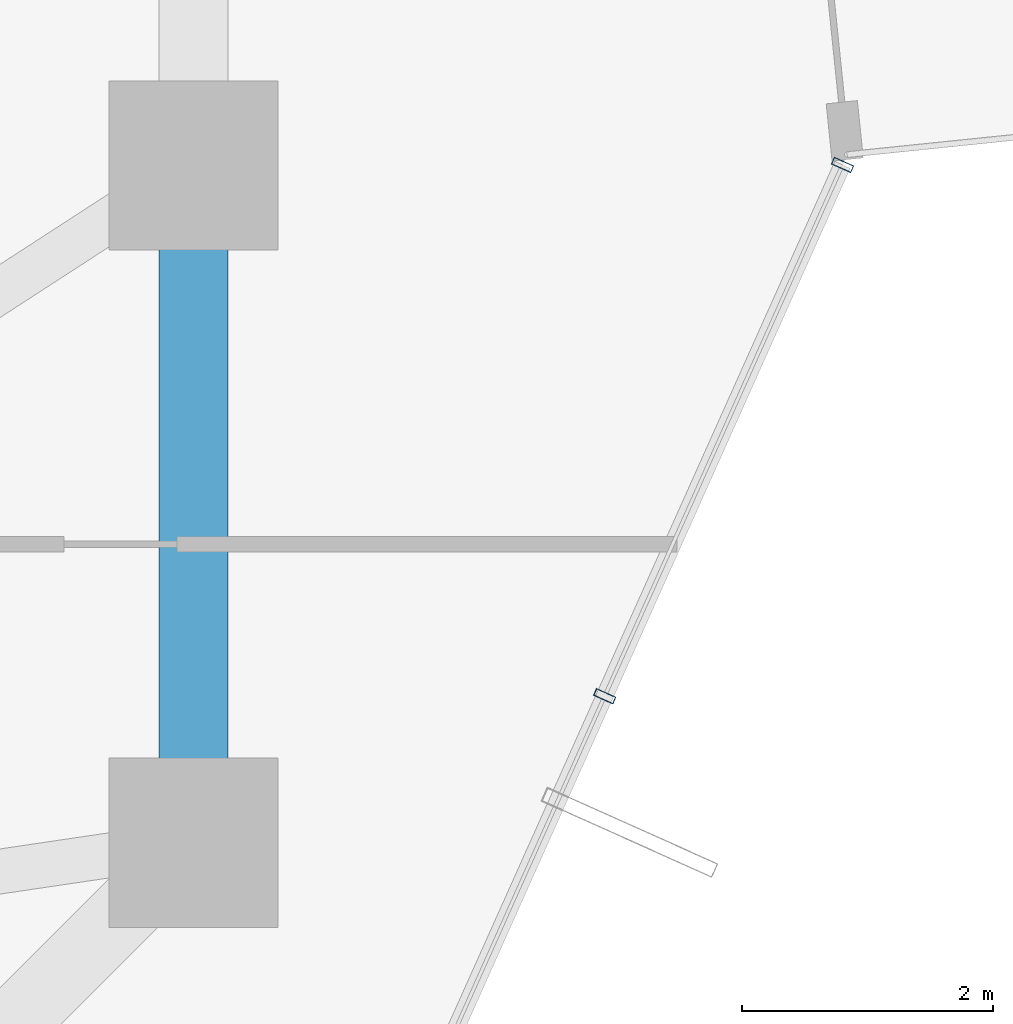
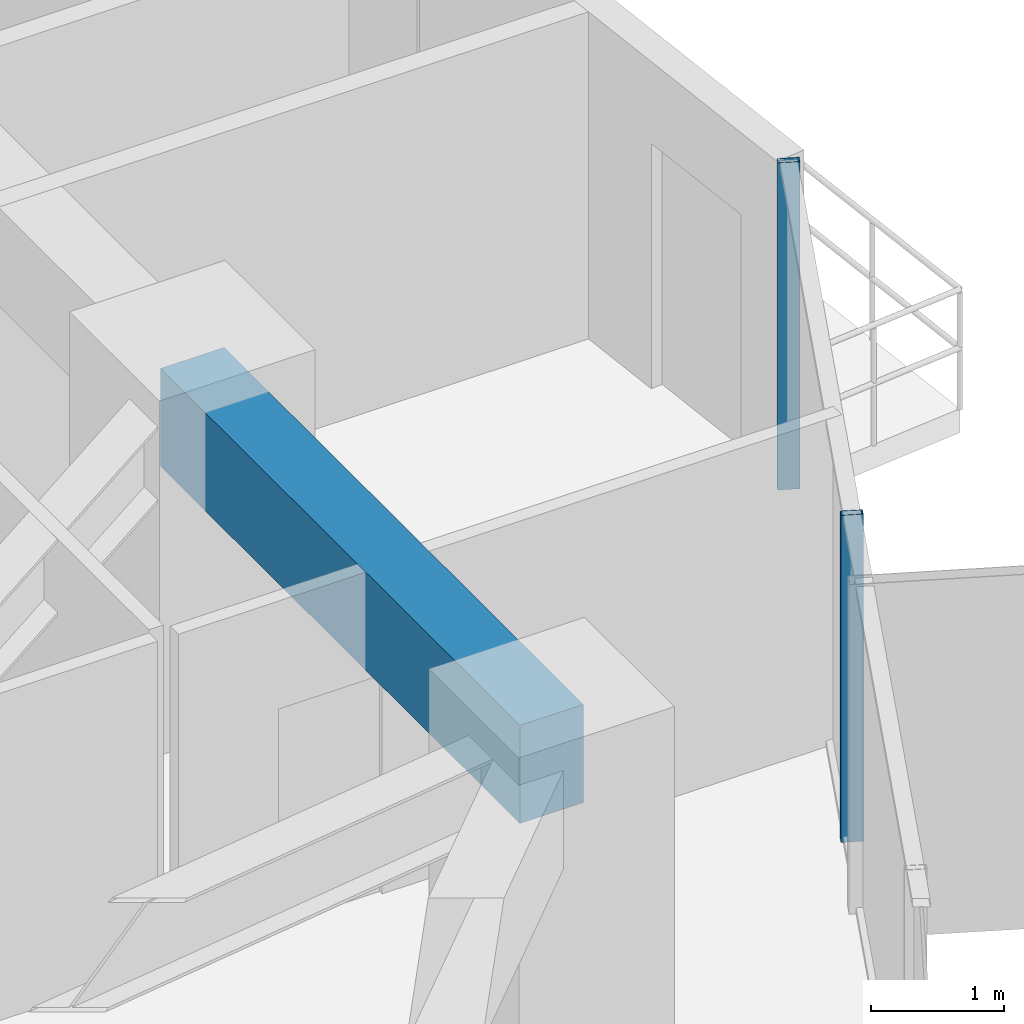
# One storey, part 18 of 37: 2 members, 1 beam, 1 element without a shape of its own.
"""IFC4 building model written with IfcOpenShell, lengths in metres."""

from ifc_helpers import new_model, si_unit, direction, frame, origin, origin_2d, place, context, subcontext, project, spatial, rectangle, hollow_rectangle, extrude, source, transform, mapped, material, layer, layer_set, material_profile, profile_set, type_object, element, aggregate, save


model = new_model("IFC4")

# Units and contexts
model_context = context("Model", 3, precision=1e-05, world=origin(), true_north=direction((0.0, 1.0)))
body_context = subcontext(model_context, "Body", "Model", "MODEL_VIEW")
ifc_project = project(units=[si_unit("LENGTHUNIT", "METRE"), si_unit("AREAUNIT", "SQUARE_METRE"), si_unit("VOLUMEUNIT", "CUBIC_METRE"), si_unit("PLANEANGLEUNIT", "RADIAN"), si_unit("MASSUNIT", "GRAM", prefix="KILO")], contexts=[model_context])

# Site, building, storey
site_placement = place(None, origin())
site = spatial("IfcSite", under=ifc_project, at=site_placement, CompositionType="ELEMENT")
building_placement = place(site_placement, origin())
building = spatial("IfcBuilding", under=site, at=building_placement, Name="Veraguas Prism Commons", CompositionType="ELEMENT")
storey_placement = place(building_placement, frame((0.0, 0.0, 43.550048828125)))
storey = spatial("IfcBuildingStorey", under=building, at=storey_placement, Name="L11", CompositionType="ELEMENT", Elevation=43.550048828125)

# Beam
ifc_material_1 = material(Name="Concrete C50/60", Category="concrete")
ifc_material_profile_1 = material_profile(ifc_material_1, rectangle(XDim=0.550048828125, YDim=0.89990234375, at=origin_2d()), Name="RC550X900")
ifc_profile_set_1 = profile_set([ifc_material_profile_1], Name="Concrete C50/60")
beam_type = type_object("IfcBeamType", Name="Perimeter Spandrel Lower RC 550x900", PredefinedType="SPANDREL", material=ifc_profile_set_1)
beam_placement = place(storey_placement, frame((41.60009765625, 18.60009765625, 2.550048828125), z_axis=(0.0, 1.0, 0.0), x_axis=(-1.0, 0.0, 0.0)))
element("IfcBeam", 1, at=beam_placement, inside=storey, type_object=beam_type, Name="Perimeter Spandrel Beam L11-SP01", PredefinedType="SPANDREL", context=body_context, shape_type="SweptSolid", body=[
    extrude(rectangle(XDim=0.550048828125, YDim=0.89990234375, at=origin_2d()), origin(), (0.0, 0.0, 1.0), 5.39990234375),
])

# Curtain wall, members
ifc_material_2 = material(Name="Anodised aluminium EN AW-6063 T6", Category="aluminium")
ifc_layer = layer(ifc_material_2, 0.169921875, Name="Unitised Flush Curtain Wall Zone 1", Category="aluminium")
ifc_layer_set = layer_set([ifc_layer], Name="Anodised aluminium EN AW-6063 T6")
curtain_wall_type = type_object("IfcCurtainWallType", Name="Unitised Flush Curtain Wall Zone 1", PredefinedType="NOTDEFINED", material=ifc_layer_set)
curtain_wall_placement = place(storey_placement, origin())
curtain_wall = element("IfcCurtainWall", 2, at=curtain_wall_placement, inside=storey, type_object=curtain_wall_type, Name="Tower Facade Curtain Wall L11-F6", PredefinedType="NOTDEFINED")
ifc_material_profile_2 = material_profile(ifc_material_2, hollow_rectangle(XDim=0.06005859375, YDim=0.169921875, WallThickness=0.00390625, at=origin_2d()), Name="AL60X170X4")
ifc_profile_set_2 = profile_set([ifc_material_profile_2], Name="Anodised aluminium EN AW-6063 T6")
member_type = type_object("IfcMemberType", Name="Curtain Wall Mullion Lower AL 60x170x4", PredefinedType="MULLION", material=ifc_profile_set_2)
shared_shape = source(origin(), body_context, "Body", "SweptSolid", [
    extrude(hollow_rectangle(XDim=0.06005859375, YDim=0.169921875, WallThickness=0.00390625, at=origin_2d()), origin(), (0.0, 0.0, 1.0), 3.0),
])
member_1_placement = place(storey_placement, frame((44.878662109375, 19.76953125, 0.0), z_axis=(0.0, 0.0, 1.0), x_axis=(0.408649074736, 0.912691587404, 0.0)))
member_1 = element("IfcMember", 3, at=member_1_placement, type_object=member_type, Name="CW-Z1 Mullion 4", PredefinedType="MULLION", context=body_context, shape_type="MappedRepresentation", body=[
    mapped(shared_shape, transform((0.0, 0.0, 0.0), scale=1.0)),
])
member_2_placement = place(storey_placement, frame((46.775146484375, 24.005126953125, 0.0), z_axis=(0.0, 0.0, 1.0), x_axis=(0.408649074736, 0.912691587404, 0.0)))
member_2 = element("IfcMember", 4, at=member_2_placement, type_object=member_type, Name="CW-Z1 Mullion 5", PredefinedType="MULLION", context=body_context, shape_type="MappedRepresentation", body=[
    mapped(shared_shape, transform((0.0, 0.0, 0.0), scale=1.0)),
])
aggregate(curtain_wall, [member_1, member_2])

save(model, "model.ifc")
